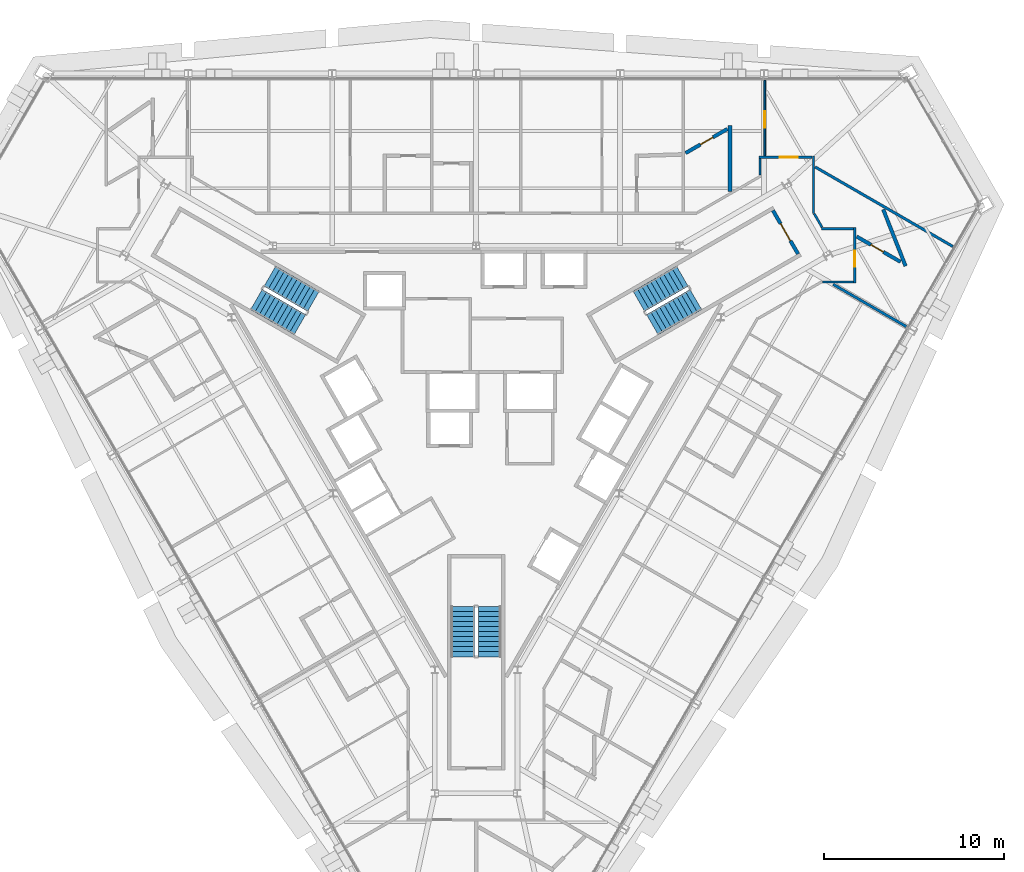
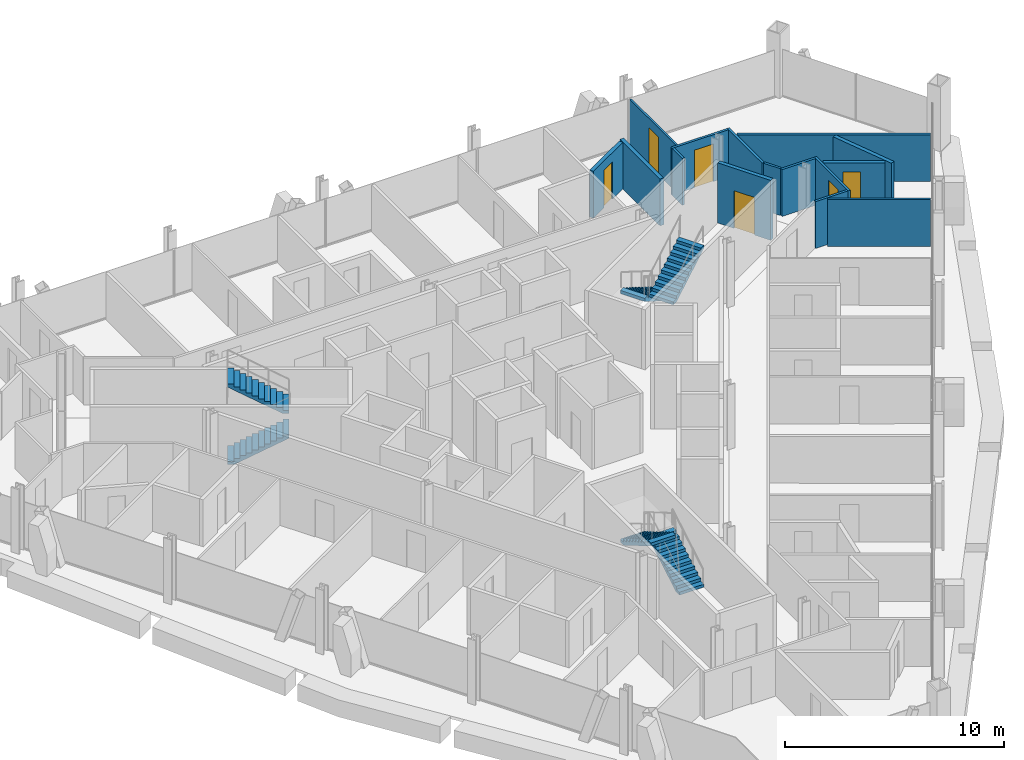
# One storey, part 14 of 16: 15 walls, 6 doors, 6 stair flights, 6 openings, 3 elements without a shape of their own.
"""IFC4 building model written with IfcOpenShell, lengths in metres."""

from ifc_helpers import new_model, si_unit, direction, frame, frame_2d, origin, place, context, subcontext, project, spatial, polyline, rectangle, outline, extrude, material, layer, layer_set, type_object, element, fill, aggregate, save


model = new_model("IFC4")

# Units and contexts
model_context = context("Model", 3, precision=1e-05, world=origin(), true_north=direction((0.0, 1.0)))
body_context = subcontext(model_context, "Body", "Model", "MODEL_VIEW")
ifc_project = project(units=[si_unit("LENGTHUNIT", "METRE"), si_unit("AREAUNIT", "SQUARE_METRE"), si_unit("VOLUMEUNIT", "CUBIC_METRE"), si_unit("PLANEANGLEUNIT", "RADIAN"), si_unit("MASSUNIT", "GRAM", prefix="KILO")], contexts=[model_context])

# Site, building, storey
site_placement = place(None, origin())
site = spatial("IfcSite", under=ifc_project, at=site_placement, CompositionType="ELEMENT")
building_placement = place(site_placement, origin())
building = spatial("IfcBuilding", under=site, at=building_placement, Name="Verrane Prism Tower", CompositionType="ELEMENT")
storey_placement = place(building_placement, frame((0.0, 0.0, 110.800048828125)))
storey = spatial("IfcBuildingStorey", under=building, at=storey_placement, Name="L26", CompositionType="ELEMENT", Elevation=110.800048828125)

# Wall, opening, door
ifc_material_1 = material(Name="Concrete C40/50", Category="concrete")
ifc_layer_1 = layer(ifc_material_1, 0.199951171875)
ifc_layer_set_1 = layer_set([ifc_layer_1], Name="CW-200 stair core wall concrete C40/50 3 h")
wall_type_1 = type_object("IfcWallType", Name="CW-200 stair core wall concrete C40/50 3 h", PredefinedType="PARTITIONING", material=ifc_layer_set_1)
wall_1_placement = place(storey_placement, frame((17.933837890625, 8.737548828125, 0.0), z_axis=(0.0, 0.0, 1.0), x_axis=(-0.49998411664, 0.866034573852, 0.0)))
wall_1 = element("IfcWall", 1, at=wall_1_placement, inside=storey, type_object=wall_type_1, Name="Stair 1 enclosure wall", PredefinedType="PARTITIONING", context=body_context, shape_type="SweptSolid", body=[
    extrude(rectangle(XDim=2.7998046875, YDim=0.199951171875, at=frame_2d((1.39990234375, 0.0))), origin(), (0.0, 0.0, 1.0), 3.349853515625),
])
opening_1_placement = place(wall_1_placement, frame((0.849853515625, 0.0, 0.0)))
opening_1 = element("IfcOpeningElement", 2, at=opening_1_placement, cuts=wall_1, Name="Opening D24500", PredefinedType="OPENING", context=body_context, shape_type="SweptSolid", body=[
    extrude(rectangle(XDim=1.10009765625, YDim=2.10009765625, at=frame_2d((0.550048828125, 1.050048828125))), frame((0.0, 0.10986328125, 0.0), z_axis=(0.0, -1.0, 0.0), x_axis=(1.0, 0.0, 0.0)), (0.0, 0.0, 1.0), 0.219970703125),
])
ifc_material_2 = material(Name="Timber veneered door leaf", Category="wood")
door_type_1 = type_object("IfcDoorType", Name="DR-1100x2100 FD90 single leaf stair", OperationType="NOTDEFINED", PredefinedType="DOOR", material=ifc_material_2)
door_1_placement = place(opening_1_placement, origin())
door_1 = element("IfcDoor", 3, at=door_1_placement, inside=storey, type_object=door_type_1, Name="Stair 1 door", OperationType="SINGLE_SWING_LEFT", OverallHeight=2.10009765625, OverallWidth=1.10009765625, PredefinedType="DOOR", context=body_context, shape_type="SweptSolid", body=[
    extrude(rectangle(XDim=1.10009765625, YDim=2.10009765625, at=frame_2d((0.550048828125, 1.050048828125))), frame((0.0, 0.02490234375, 0.0), z_axis=(0.0, -1.0, 0.0), x_axis=(1.0, 0.0, 0.0)), (0.0, 0.0, 1.0), 0.050048828125),
])
fill(opening_1, door_1)

ifc_material_3 = material(Name="Gypsum board partition", Category="other")
ifc_layer_2 = layer(ifc_material_3, 0.10009765625)
ifc_layer_set_2 = layer_set([ifc_layer_2], Name="PW-100 room partition")
wall_type_2 = type_object("IfcWallType", Name="PW-100 room partition", PredefinedType="PARTITIONING", material=ifc_layer_set_2)
wall_2_placement = place(storey_placement, frame((16.074951171875, 14.189453125, 0.0), z_axis=(0.0, 0.0, 1.0), x_axis=(0.0, 1.0, 0.0)))
wall_2 = element("IfcWall", 4, at=wall_2_placement, inside=storey, type_object=wall_type_2, Name="Room partition 073", PredefinedType="PARTITIONING", context=body_context, shape_type="SweptSolid", body=[
    extrude(rectangle(XDim=4.2255859375, YDim=0.10009765625, at=frame_2d((2.11279296875, 0.0))), origin(), (0.0, 0.0, 1.0), 2.613037109375),
])
opening_2_placement = place(wall_2_placement, frame((1.58740234375, 0.0, 0.0)))
opening_2 = element("IfcOpeningElement", 5, at=opening_2_placement, cuts=wall_2, Name="Opening D24015", PredefinedType="OPENING", context=body_context, shape_type="SweptSolid", body=[
    extrude(rectangle(XDim=0.89990234375, YDim=2.10009765625, at=frame_2d((0.449951171875, 1.050048828125))), frame((0.0, 0.06005859375, 0.0), z_axis=(0.0, -1.0, 0.0), x_axis=(1.0, 0.0, 0.0)), (0.0, 0.0, 1.0), 0.1201171875),
])
ifc_material_4 = material(Name="Timber veneered door leaf", Category="wood")
door_type_2 = type_object("IfcDoorType", Name="DR-900x2100 single leaf inner", OperationType="NOTDEFINED", PredefinedType="DOOR", material=ifc_material_4)
door_2_placement = place(opening_2_placement, origin())
door_2 = element("IfcDoor", 6, at=door_2_placement, inside=storey, type_object=door_type_2, Name="Suite Living Room door", OperationType="SINGLE_SWING_LEFT", OverallHeight=2.10009765625, OverallWidth=0.89990234375, PredefinedType="DOOR", context=body_context, shape_type="SweptSolid", body=[
    extrude(rectangle(XDim=0.89990234375, YDim=2.10009765625, at=frame_2d((0.449951171875, 1.050048828125))), frame((0.0, 0.02490234375, 0.0), z_axis=(0.0, -1.0, 0.0), x_axis=(1.0, 0.0, 0.0)), (0.0, 0.0, 1.0), 0.050048828125),
])
fill(opening_2, door_2)

# Wall
ifc_material_5 = material(Name="Gypsum board partition", Category="other")
ifc_layer_3 = layer(ifc_material_5, 0.125)
ifc_layer_set_3 = layer_set([ifc_layer_3], Name="PW-125 corridor wall 1 h")
wall_type_3 = type_object("IfcWallType", Name="PW-125 corridor wall 1 h", PredefinedType="PARTITIONING", material=ifc_layer_set_3)
wall_3_placement = place(storey_placement, frame((15.81298828125, 13.139892578125, 0.0), z_axis=(0.0, 0.0, 1.0), x_axis=(0.0, 1.0, 0.0)))
element("IfcWall", 7, at=wall_3_placement, inside=storey, type_object=wall_type_3, Name="Corridor wall 071", PredefinedType="PARTITIONING", context=body_context, shape_type="SweptSolid", body=[
    extrude(rectangle(XDim=0.922119140625, YDim=0.125, at=frame_2d((0.4609375, 0.0))), origin(), (0.0, 0.0, 1.0), 2.613037109375),
])

# Wall, opening, door
wall_4_placement = place(storey_placement, frame((15.75048828125, 14.126953125, 0.0), z_axis=(0.0, 0.0, 1.0), x_axis=(1.0, 0.0, 0.0)))
wall_4 = element("IfcWall", 8, at=wall_4_placement, inside=storey, type_object=wall_type_3, Name="Corridor wall 072", PredefinedType="PARTITIONING", context=body_context, shape_type="SweptSolid", body=[
    extrude(rectangle(XDim=2.971435546875, YDim=0.125, at=frame_2d((1.48583984375, 0.0))), origin(), (0.0, 0.0, 1.0), 2.613037109375),
])
opening_3_placement = place(wall_4_placement, frame((1.174560546875, 0.0, 0.0)))
opening_3 = element("IfcOpeningElement", 9, at=opening_3_placement, cuts=wall_4, Name="Opening D24014", PredefinedType="OPENING", context=body_context, shape_type="SweptSolid", body=[
    extrude(rectangle(XDim=1.0, YDim=2.10009765625, at=frame_2d((0.5, 1.050048828125))), frame((0.0, 0.072509765625, 0.0), z_axis=(0.0, -1.0, 0.0), x_axis=(1.0, 0.0, 0.0)), (0.0, 0.0, 1.0), 0.14501953125),
])
ifc_material_6 = material(Name="Timber veneered door leaf", Category="wood")
door_type_3 = type_object("IfcDoorType", Name="DR-1000x2100 FD20 single leaf unit", OperationType="NOTDEFINED", PredefinedType="DOOR", material=ifc_material_6)
door_3_placement = place(opening_3_placement, origin())
door_3 = element("IfcDoor", 10, at=door_3_placement, inside=storey, type_object=door_type_3, Name="Suite Living Room door", OperationType="SINGLE_SWING_RIGHT", OverallHeight=2.10009765625, OverallWidth=1.0, PredefinedType="DOOR", context=body_context, shape_type="SweptSolid", body=[
    extrude(rectangle(XDim=1.0, YDim=2.10009765625, at=frame_2d((0.5, 1.050048828125))), frame((0.0, 0.02490234375, 0.0), z_axis=(0.0, -1.0, 0.0), x_axis=(1.0, 0.0, 0.0)), (0.0, 0.0, 1.0), 0.050048828125),
])
fill(opening_3, door_3)

# Walls
wall_5_placement = place(storey_placement, frame((18.787109375, 10.99755859375, 0.0), z_axis=(0.0, 0.0, 1.0), x_axis=(0.0, 1.0, 0.0)))
element("IfcWall", 11, at=wall_5_placement, inside=storey, type_object=wall_type_3, Name="Corridor wall 074", PredefinedType="PARTITIONING", context=body_context, shape_type="SweptSolid", body=[
    extrude(rectangle(XDim=3.19189453125, YDim=0.125, at=frame_2d((1.595947265625, 0.0))), origin(), (0.0, 0.0, 1.0), 2.613037109375),
])
wall_6_placement = place(storey_placement, frame((18.82958984375, 10.986328125, 0.0), z_axis=(0.0, 0.0, 1.0), x_axis=(0.499881837328, -0.866093614288, 0.0)))
element("IfcWall", 12, at=wall_6_placement, inside=storey, type_object=wall_type_3, Name="Corridor wall 075", PredefinedType="PARTITIONING", context=body_context, shape_type="SweptSolid", body=[
    extrude(rectangle(XDim=0.884033203125, YDim=0.125, at=frame_2d((0.44189453125, 0.0))), origin(), (0.0, 0.0, 1.0), 2.613037109375),
])
wall_7_placement = place(storey_placement, frame((19.30908203125, 7.173095703125, 0.0), z_axis=(0.0, 0.0, 1.0), x_axis=(1.0, 0.0, 0.0)))
element("IfcWall", 13, at=wall_7_placement, inside=storey, type_object=wall_type_3, Name="Corridor wall 077", PredefinedType="PARTITIONING", context=body_context, shape_type="SweptSolid", body=[
    extrude(rectangle(XDim=1.712890625, YDim=0.125, at=frame_2d((0.8564453125, 0.0))), origin(), (0.0, 0.0, 1.0), 2.613037109375),
])
wall_8_placement = place(storey_placement, frame((19.25146484375, 10.14697265625, 0.0), z_axis=(0.0, 0.0, 1.0), x_axis=(1.0, 0.0, 0.0)))
element("IfcWall", 14, at=wall_8_placement, inside=storey, type_object=wall_type_3, Name="Corridor wall 078", PredefinedType="PARTITIONING", context=body_context, shape_type="SweptSolid", body=[
    extrude(rectangle(XDim=1.7705078125, YDim=0.125, at=frame_2d((0.88525390625, 0.0))), origin(), (0.0, 0.0, 1.0), 2.613037109375),
])

# Wall, opening, door
wall_9_placement = place(storey_placement, frame((21.0869140625, 10.20947265625, 0.0), z_axis=(0.0, 0.0, 1.0), x_axis=(0.0, -1.0, 0.0)))
wall_9 = element("IfcWall", 15, at=wall_9_placement, inside=storey, type_object=wall_type_3, Name="Corridor wall 080", PredefinedType="PARTITIONING", context=body_context, shape_type="SweptSolid", body=[
    extrude(rectangle(XDim=3.098876953125, YDim=0.125, at=frame_2d((1.54931640625, 0.0))), origin(), (0.0, 0.0, 1.0), 2.613037109375),
])
opening_4_placement = place(wall_9_placement, frame((1.28662109375, 0.0, 0.0)))
opening_4 = element("IfcOpeningElement", 16, at=opening_4_placement, cuts=wall_9, Name="Opening D24012", PredefinedType="OPENING", context=body_context, shape_type="SweptSolid", body=[
    extrude(rectangle(XDim=0.89990234375, YDim=2.10009765625, at=frame_2d((0.449951171875, 1.050048828125))), frame((0.0, 0.072509765625, 0.0), z_axis=(0.0, -1.0, 0.0), x_axis=(1.0, 0.0, 0.0)), (0.0, 0.0, 1.0), 0.14501953125),
])
ifc_material_7 = material(Name="Timber veneered door leaf", Category="wood")
door_type_4 = type_object("IfcDoorType", Name="DR-900x2100 FD20 single leaf unit", OperationType="NOTDEFINED", PredefinedType="DOOR", material=ifc_material_7)
door_4_placement = place(opening_4_placement, origin())
door_4 = element("IfcDoor", 17, at=door_4_placement, inside=storey, type_object=door_type_4, Name="Guest Room door", OperationType="SINGLE_SWING_LEFT", OverallHeight=2.10009765625, OverallWidth=0.89990234375, PredefinedType="DOOR", context=body_context, shape_type="SweptSolid", body=[
    extrude(rectangle(XDim=0.89990234375, YDim=2.10009765625, at=frame_2d((0.449951171875, 1.050048828125))), frame((0.0, 0.02490234375, 0.0), z_axis=(0.0, -1.0, 0.0), x_axis=(1.0, 0.0, 0.0)), (0.0, 0.0, 1.0), 0.050048828125),
])
fill(opening_4, door_4)

# Walls
ifc_material_8 = material(Name="Gypsum board partition", Category="other")
ifc_layer_4 = layer(ifc_material_8, 0.14990234375)
ifc_layer_set_4 = layer_set([ifc_layer_4], Name="PW-150 demising wall 1 h")
wall_type_4 = type_object("IfcWallType", Name="PW-150 demising wall 1 h", PredefinedType="PARTITIONING", material=ifc_layer_set_4)
wall_10_placement = place(storey_placement, frame((18.886962890625, 13.584228515625, 0.0), z_axis=(0.0, 0.0, 1.0), x_axis=(0.866024349092, -0.500001826776, 0.0)))
element("IfcWall", 18, at=wall_10_placement, inside=storey, type_object=wall_type_4, Name="Demising wall 076", PredefinedType="PARTITIONING", context=body_context, shape_type="SweptSolid", body=[
    extrude(rectangle(XDim=8.8505859375, YDim=0.14990234375, at=frame_2d((4.42529296875, 0.0))), origin(), (0.0, 0.0, 1.0), 2.613037109375),
])
wall_11_placement = place(storey_placement, frame((19.888671875, 7.045654296875, 0.0), z_axis=(0.0, 0.0, 1.0), x_axis=(0.865929380849, -0.500166279733, 0.0)))
element("IfcWall", 19, at=wall_11_placement, inside=storey, type_object=wall_type_4, Name="Demising wall 079", PredefinedType="PARTITIONING", context=body_context, shape_type="SweptSolid", body=[
    extrude(rectangle(XDim=4.7138671875, YDim=0.14990234375, at=frame_2d((2.35693359375, 0.0))), origin(), (0.0, 0.0, 1.0), 2.613037109375),
])

# Wall, opening, door
ifc_material_9 = material(Name="Gypsum board partition", Category="other")
ifc_layer_5 = layer(ifc_material_9, 0.199951171875)
ifc_layer_set_5 = layer_set([ifc_layer_5], Name="PW-200 plumbing wall")
wall_type_5 = type_object("IfcWallType", Name="PW-200 plumbing wall", PredefinedType="PARTITIONING", material=ifc_layer_set_5)
wall_12_placement = place(storey_placement, frame((13.996826171875, 15.701904296875, 0.0), z_axis=(0.0, 0.0, 1.0), x_axis=(-0.866066100916, -0.499929503874, 0.0)))
wall_12 = element("IfcWall", 20, at=wall_12_placement, inside=storey, type_object=wall_type_5, Name="Plumbing wall 062", PredefinedType="PARTITIONING", context=body_context, shape_type="SweptSolid", body=[
    extrude(rectangle(XDim=2.68798828125, YDim=0.199951171875, at=frame_2d((1.343994140625, 0.0))), origin(), (0.0, 0.0, 1.0), 2.613037109375),
])
opening_5_placement = place(wall_12_placement, frame((0.93212890625, 0.0, 0.0)))
opening_5 = element("IfcOpeningElement", 21, at=opening_5_placement, cuts=wall_12, Name="Opening D24016", PredefinedType="OPENING", context=body_context, shape_type="SweptSolid", body=[
    extrude(rectangle(XDim=0.800048828125, YDim=2.10009765625, at=frame_2d((0.39990234375, 1.050048828125))), frame((0.0, 0.10986328125, 0.0), z_axis=(0.0, -1.0, 0.0), x_axis=(1.0, 0.0, 0.0)), (0.0, 0.0, 1.0), 0.219970703125),
])
ifc_material_10 = material(Name="Timber veneered door leaf", Category="wood")
door_type_5 = type_object("IfcDoorType", Name="DR-800x2100 single leaf bath", OperationType="NOTDEFINED", PredefinedType="DOOR", material=ifc_material_10)
door_5_placement = place(opening_5_placement, origin())
door_5 = element("IfcDoor", 22, at=door_5_placement, inside=storey, type_object=door_type_5, Name="En-Suite door", OperationType="SINGLE_SWING_LEFT", OverallHeight=2.10009765625, OverallWidth=0.800048828125, PredefinedType="DOOR", context=body_context, shape_type="SweptSolid", body=[
    extrude(rectangle(XDim=0.800048828125, YDim=2.10009765625, at=frame_2d((0.39990234375, 1.050048828125))), frame((0.0, 0.02490234375, 0.0), z_axis=(0.0, -1.0, 0.0), x_axis=(1.0, 0.0, 0.0)), (0.0, 0.0, 1.0), 0.050048828125),
])
fill(opening_5, door_5)

# Wall
wall_13_placement = place(storey_placement, frame((14.14404296875, 12.221923828125, 0.0), z_axis=(0.0, 0.0, 1.0), x_axis=(0.0, 1.0, 0.0)))
element("IfcWall", 23, at=wall_13_placement, inside=storey, type_object=wall_type_5, Name="Plumbing wall 066", PredefinedType="PARTITIONING", context=body_context, shape_type="SweptSolid", body=[
    extrude(rectangle(XDim=3.6650390625, YDim=0.199951171875, at=frame_2d((1.83251953125, 0.0))), origin(), (0.0, 0.0, 1.0), 2.613037109375),
])

# Wall, opening, door
wall_14_placement = place(storey_placement, frame((21.199462890625, 9.7080078125, 0.0), z_axis=(0.0, 0.0, 1.0), x_axis=(0.866129327763, -0.499819955173, 0.0)))
wall_14 = element("IfcWall", 24, at=wall_14_placement, inside=storey, type_object=wall_type_5, Name="Plumbing wall 081", PredefinedType="PARTITIONING", context=body_context, shape_type="SweptSolid", body=[
    extrude(rectangle(XDim=2.81787109375, YDim=0.199951171875, at=frame_2d((1.408935546875, 0.0))), origin(), (0.0, 0.0, 1.0), 2.613037109375),
])
opening_6_placement = place(wall_14_placement, frame((0.920166015625, 0.0, 0.0)))
opening_6 = element("IfcOpeningElement", 25, at=opening_6_placement, cuts=wall_14, Name="Opening D24013", PredefinedType="OPENING", context=body_context, shape_type="SweptSolid", body=[
    extrude(rectangle(XDim=0.800048828125, YDim=2.10009765625, at=frame_2d((0.39990234375, 1.050048828125))), frame((0.0, 0.10986328125, 0.0), z_axis=(0.0, -1.0, 0.0), x_axis=(1.0, 0.0, 0.0)), (0.0, 0.0, 1.0), 0.219970703125),
])
door_6_placement = place(opening_6_placement, origin())
door_6 = element("IfcDoor", 26, at=door_6_placement, inside=storey, type_object=door_type_5, Name="En-Suite door", OperationType="SINGLE_SWING_LEFT", OverallHeight=2.10009765625, OverallWidth=0.800048828125, PredefinedType="DOOR", context=body_context, shape_type="SweptSolid", body=[
    extrude(rectangle(XDim=0.800048828125, YDim=2.10009765625, at=frame_2d((0.39990234375, 1.050048828125))), frame((0.0, 0.02490234375, 0.0), z_axis=(0.0, -1.0, 0.0), x_axis=(1.0, 0.0, 0.0)), (0.0, 0.0, 1.0), 0.050048828125),
])
fill(opening_6, door_6)

# Wall
wall_15_placement = place(storey_placement, frame((22.6767578125, 11.2197265625, 0.0), z_axis=(0.0, 0.0, 1.0), x_axis=(0.36751707294, -0.930016774632, 0.0)))
element("IfcWall", 27, at=wall_15_placement, inside=storey, type_object=wall_type_5, Name="Plumbing wall 082", PredefinedType="PARTITIONING", context=body_context, shape_type="SweptSolid", body=[
    extrude(rectangle(XDim=3.393310546875, YDim=0.199951171875, at=frame_2d((1.69677734375, 0.0))), origin(), (0.0, 0.0, 1.0), 2.613037109375),
])

# Stair, stair flights
ifc_material_11 = material(Name="Concrete C40/50", Category="concrete")
stair_type = type_object("IfcStairType", Name="Exit stair 1300 dog-leg precast concrete C40/50", PredefinedType="HALF_TURN_STAIR", material=ifc_material_11)
stair_1_placement = place(storey_placement, origin())
stair_1 = element("IfcStair", 28, at=stair_1_placement, inside=storey, type_object=stair_type, Name="Stair 1 L26", PredefinedType="HALF_TURN_STAIR")
ifc_material_12 = material(Name="Concrete C40/50", Category="concrete")
stair_flight_type = type_object("IfcStairFlightType", Name="Stair flight 1300 precast concrete C40/50", PredefinedType="STRAIGHT", material=ifc_material_12)
stair_flight_1_placement = place(storey_placement, frame((11.489501953125, 7.49951171875, 0.0), z_axis=(0.0, 0.0, 1.0), x_axis=(-0.866025403784, -0.5, 0.0)))
stair_flight_1 = element("IfcStairFlight", 29, at=stair_flight_1_placement, type_object=stair_flight_type, Name="Stair 1 flight 1", NumberOfRisers=11, NumberOfTreads=10, PredefinedType="STRAIGHT", RiserHeight=0.163636364, TreadLength=0.28, context=body_context, shape_type="SweptSolid", body=[
    extrude(outline(polyline([(0.0, 0.0), (0.0, 0.16357421875), (0.280029296875, 0.16357421875), (0.280029296875, 0.327392578125), (0.56005859375, 0.327392578125), (0.56005859375, 0.490966796875), (0.840087890625, 0.490966796875), (0.840087890625, 0.654541015625), (1.1201171875, 0.654541015625), (1.1201171875, 0.818115234375), (1.39990234375, 0.818115234375), (1.39990234375, 0.98193359375), (1.679931640625, 0.98193359375), (1.679931640625, 1.1455078125), (1.9599609375, 1.1455078125), (1.9599609375, 1.30908203125), (2.239990234375, 1.30908203125), (2.239990234375, 1.47265625), (2.52001953125, 1.47265625), (2.52001953125, 1.636474609375), (2.800048828125, 1.636474609375), (2.800048828125, 1.800048828125), (2.800048828125, 1.462646484375), (0.297119140625, 0.0), (0.0, 0.0)])), frame((0.0, 0.64990234375, 0.0), z_axis=(0.0, -1.0, 0.0), x_axis=(1.0, 0.0, 0.0)), (0.0, 0.0, 1.0), 1.300048828125),
])
stair_flight_2_placement = place(storey_placement, frame((9.814697265625, 4.800537109375, 1.800048828125), z_axis=(0.0, 0.0, 1.0), x_axis=(0.866025403784, 0.5, 0.0)))
stair_flight_2 = element("IfcStairFlight", 30, at=stair_flight_2_placement, type_object=stair_flight_type, Name="Stair 1 flight 2", NumberOfRisers=11, NumberOfTreads=10, PredefinedType="STRAIGHT", RiserHeight=0.163636364, TreadLength=0.28, context=body_context, shape_type="SweptSolid", body=[
    extrude(outline(polyline([(0.0, 0.0), (0.0, 0.16357421875), (0.280029296875, 0.16357421875), (0.280029296875, 0.327392578125), (0.56005859375, 0.327392578125), (0.56005859375, 0.490966796875), (0.840087890625, 0.490966796875), (0.840087890625, 0.654541015625), (1.1201171875, 0.654541015625), (1.1201171875, 0.818115234375), (1.39990234375, 0.818115234375), (1.39990234375, 0.98193359375), (1.679931640625, 0.98193359375), (1.679931640625, 1.1455078125), (1.9599609375, 1.1455078125), (1.9599609375, 1.30908203125), (2.239990234375, 1.30908203125), (2.239990234375, 1.47265625), (2.52001953125, 1.47265625), (2.52001953125, 1.636474609375), (2.800048828125, 1.636474609375), (2.800048828125, 1.800048828125), (2.800048828125, 1.462646484375), (0.297119140625, 0.0), (0.0, 0.0)])), frame((0.0, 0.64990234375, 0.0), z_axis=(0.0, -1.0, 0.0), x_axis=(1.0, 0.0, 0.0)), (0.0, 0.0, 1.0), 1.300048828125),
])
aggregate(stair_1, [stair_flight_1, stair_flight_2])

stair_2_placement = place(storey_placement, origin())
stair_2 = element("IfcStair", 31, at=stair_2_placement, inside=storey, type_object=stair_type, Name="Stair 2 L26", PredefinedType="HALF_TURN_STAIR")
stair_flight_3_placement = place(storey_placement, frame((-12.239501953125, 6.200439453125, 0.0), z_axis=(0.0, 0.0, 1.0), x_axis=(0.866025403784, -0.5, 0.0)))
stair_flight_3 = element("IfcStairFlight", 32, at=stair_flight_3_placement, type_object=stair_flight_type, Name="Stair 2 flight 1", NumberOfRisers=11, NumberOfTreads=10, PredefinedType="STRAIGHT", RiserHeight=0.163636364, TreadLength=0.28, context=body_context, shape_type="SweptSolid", body=[
    extrude(outline(polyline([(0.0, 0.0), (0.0, 0.16357421875), (0.280029296875, 0.16357421875), (0.280029296875, 0.327392578125), (0.56005859375, 0.327392578125), (0.56005859375, 0.490966796875), (0.840087890625, 0.490966796875), (0.840087890625, 0.654541015625), (1.1201171875, 0.654541015625), (1.1201171875, 0.818115234375), (1.39990234375, 0.818115234375), (1.39990234375, 0.98193359375), (1.679931640625, 0.98193359375), (1.679931640625, 1.1455078125), (1.9599609375, 1.1455078125), (1.9599609375, 1.30908203125), (2.239990234375, 1.30908203125), (2.239990234375, 1.47265625), (2.52001953125, 1.47265625), (2.52001953125, 1.636474609375), (2.800048828125, 1.636474609375), (2.800048828125, 1.800048828125), (2.800048828125, 1.462646484375), (0.297119140625, 0.0), (0.0, 0.0)])), frame((0.0, 0.64990234375, 0.0), z_axis=(0.0, -1.0, 0.0), x_axis=(1.0, 0.0, 0.0)), (0.0, 0.0, 1.0), 1.300048828125),
])
stair_flight_4_placement = place(storey_placement, frame((-9.064697265625, 6.099609375, 1.800048828125), z_axis=(0.0, 0.0, 1.0), x_axis=(-0.866025403784, 0.5, 0.0)))
stair_flight_4 = element("IfcStairFlight", 33, at=stair_flight_4_placement, type_object=stair_flight_type, Name="Stair 2 flight 2", NumberOfRisers=11, NumberOfTreads=10, PredefinedType="STRAIGHT", RiserHeight=0.163636364, TreadLength=0.28, context=body_context, shape_type="SweptSolid", body=[
    extrude(outline(polyline([(0.0, 0.0), (0.0, 0.16357421875), (0.280029296875, 0.16357421875), (0.280029296875, 0.327392578125), (0.56005859375, 0.327392578125), (0.56005859375, 0.490966796875), (0.840087890625, 0.490966796875), (0.840087890625, 0.654541015625), (1.1201171875, 0.654541015625), (1.1201171875, 0.818115234375), (1.39990234375, 0.818115234375), (1.39990234375, 0.98193359375), (1.679931640625, 0.98193359375), (1.679931640625, 1.1455078125), (1.9599609375, 1.1455078125), (1.9599609375, 1.30908203125), (2.239990234375, 1.30908203125), (2.239990234375, 1.47265625), (2.52001953125, 1.47265625), (2.52001953125, 1.636474609375), (2.800048828125, 1.636474609375), (2.800048828125, 1.800048828125), (2.800048828125, 1.462646484375), (0.297119140625, 0.0), (0.0, 0.0)])), frame((0.0, 0.64990234375, 0.0), z_axis=(0.0, -1.0, 0.0), x_axis=(1.0, 0.0, 0.0)), (0.0, 0.0, 1.0), 1.300048828125),
])
aggregate(stair_2, [stair_flight_3, stair_flight_4])

stair_3_placement = place(storey_placement, origin())
stair_3 = element("IfcStair", 34, at=stair_3_placement, inside=storey, type_object=stair_type, Name="Stair 3 L26", PredefinedType="HALF_TURN_STAIR")
stair_flight_5_placement = place(storey_placement, frame((0.75, -13.699951171875, 0.0), z_axis=(0.0, 0.0, 1.0), x_axis=(0.0, 1.0, 0.0)))
stair_flight_5 = element("IfcStairFlight", 35, at=stair_flight_5_placement, type_object=stair_flight_type, Name="Stair 3 flight 1", NumberOfRisers=11, NumberOfTreads=10, PredefinedType="STRAIGHT", RiserHeight=0.163636364, TreadLength=0.28, context=body_context, shape_type="SweptSolid", body=[
    extrude(outline(polyline([(0.0, 0.0), (0.0, 0.16357421875), (0.280029296875, 0.16357421875), (0.280029296875, 0.327392578125), (0.56005859375, 0.327392578125), (0.56005859375, 0.490966796875), (0.840087890625, 0.490966796875), (0.840087890625, 0.654541015625), (1.1201171875, 0.654541015625), (1.1201171875, 0.818115234375), (1.39990234375, 0.818115234375), (1.39990234375, 0.98193359375), (1.679931640625, 0.98193359375), (1.679931640625, 1.1455078125), (1.9599609375, 1.1455078125), (1.9599609375, 1.30908203125), (2.239990234375, 1.30908203125), (2.239990234375, 1.47265625), (2.52001953125, 1.47265625), (2.52001953125, 1.636474609375), (2.800048828125, 1.636474609375), (2.800048828125, 1.800048828125), (2.800048828125, 1.462646484375), (0.297119140625, 0.0), (0.0, 0.0)])), frame((0.0, 0.64990234375, 0.0), z_axis=(0.0, -1.0, 0.0), x_axis=(1.0, 0.0, 0.0)), (0.0, 0.0, 1.0), 1.300048828125),
])
stair_flight_6_placement = place(storey_placement, frame((-0.75, -10.89990234375, 1.800048828125), z_axis=(0.0, 0.0, 1.0), x_axis=(0.0, -1.0, 0.0)))
stair_flight_6 = element("IfcStairFlight", 36, at=stair_flight_6_placement, type_object=stair_flight_type, Name="Stair 3 flight 2", NumberOfRisers=11, NumberOfTreads=10, PredefinedType="STRAIGHT", RiserHeight=0.163636364, TreadLength=0.28, context=body_context, shape_type="SweptSolid", body=[
    extrude(outline(polyline([(0.0, 0.0), (0.0, 0.16357421875), (0.280029296875, 0.16357421875), (0.280029296875, 0.327392578125), (0.56005859375, 0.327392578125), (0.56005859375, 0.490966796875), (0.840087890625, 0.490966796875), (0.840087890625, 0.654541015625), (1.1201171875, 0.654541015625), (1.1201171875, 0.818115234375), (1.39990234375, 0.818115234375), (1.39990234375, 0.98193359375), (1.679931640625, 0.98193359375), (1.679931640625, 1.1455078125), (1.9599609375, 1.1455078125), (1.9599609375, 1.30908203125), (2.239990234375, 1.30908203125), (2.239990234375, 1.47265625), (2.52001953125, 1.47265625), (2.52001953125, 1.636474609375), (2.800048828125, 1.636474609375), (2.800048828125, 1.800048828125), (2.800048828125, 1.462646484375), (0.297119140625, 0.0), (0.0, 0.0)])), frame((0.0, 0.64990234375, 0.0), z_axis=(0.0, -1.0, 0.0), x_axis=(1.0, 0.0, 0.0)), (0.0, 0.0, 1.0), 1.300048828125),
])
aggregate(stair_3, [stair_flight_5, stair_flight_6])

save(model, "model.ifc")
